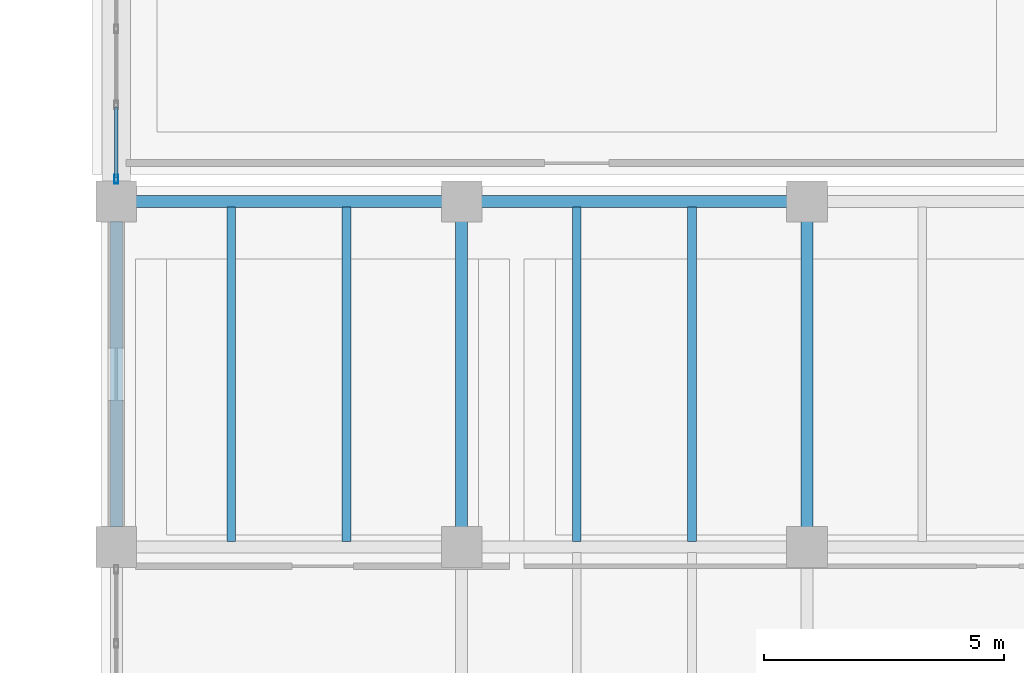
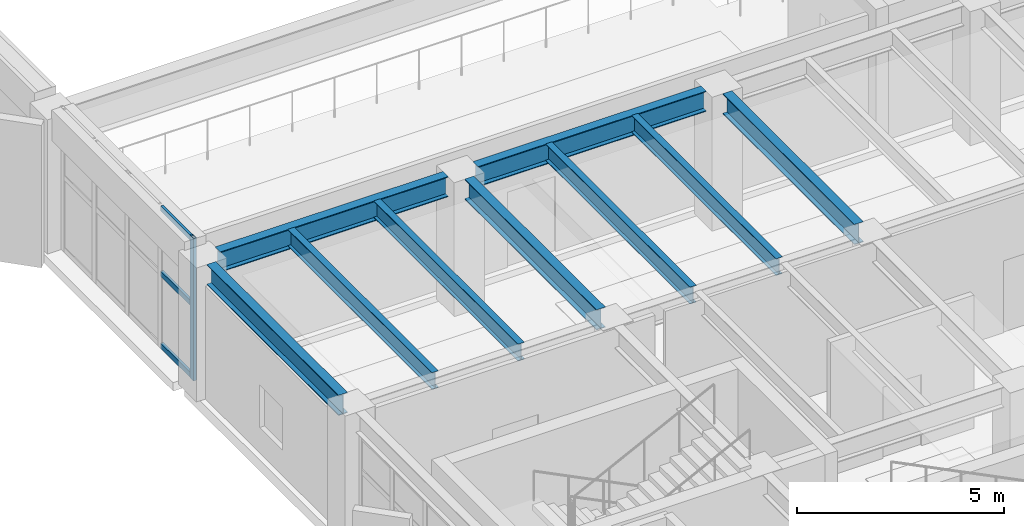
# One storey, part 11 of 59: 9 beams, 4 members, 1 element without a shape of its own.
"""IFC4 building model written with IfcOpenShell, lengths in metres."""

from ifc_helpers import new_model, si_unit, direction, frame, origin, origin_2d, place, context, subcontext, project, spatial, hollow_rectangle, i_section, extrude, material, layer, layer_set, material_profile, profile_set, type_object, element, aggregate, save


model = new_model("IFC4")

# Units and contexts
model_context = context("Model", 3, precision=1e-05, world=origin(), true_north=direction((0.0, 1.0)))
body_context = subcontext(model_context, "Body", "Model", "MODEL_VIEW")
ifc_project = project(units=[si_unit("LENGTHUNIT", "METRE"), si_unit("AREAUNIT", "SQUARE_METRE"), si_unit("VOLUMEUNIT", "CUBIC_METRE"), si_unit("PLANEANGLEUNIT", "RADIAN"), si_unit("MASSUNIT", "GRAM", prefix="KILO")], contexts=[model_context])

# Site, building, storey
site_placement = place(None, origin())
site = spatial("IfcSite", under=ifc_project, at=site_placement, CompositionType="ELEMENT")
building_placement = place(site_placement, origin())
building = spatial("IfcBuilding", under=site, at=building_placement, Name="Kandorven Conservatory and Botanical Research Centre", CompositionType="ELEMENT")
storey_placement = place(building_placement, frame((0.0, 0.0, 4.800048828125)))
storey = spatial("IfcBuildingStorey", under=building, at=storey_placement, Name="L01", CompositionType="ELEMENT", Elevation=4.800048828125)

# Beams
ifc_material_1 = material(Name="Steel S355 (IS 2062 E350)", Category="steel")
ifc_material_profile_1 = material_profile(ifc_material_1, i_section(OverallWidth=0.25, OverallDepth=0.60009765625, WebThickness=0.01171875, FlangeThickness=0.023681640625, at=origin_2d()))
ifc_profile_set_1 = profile_set([ifc_material_profile_1], Name="Steel S355 (IS 2062 E350)")
beam_type_1 = type_object("IfcBeamType", Name="Beam_FG-01", PredefinedType="USERDEFINED", material=ifc_profile_set_1)
beam_placement = place(storey_placement, frame((6.4150390625, 34.800048828125, 3.64990234375), z_axis=(1.0, 0.0, 0.0), x_axis=(0.0, 1.0, 0.0)))
element("IfcBeam", 1, at=beam_placement, inside=storey, type_object=beam_type_1, Name="Primary girder FG-01 TWR L01", ObjectType="GIRDER", PredefinedType="USERDEFINED", context=body_context, shape_type="SweptSolid", body=[
    extrude(i_section(OverallWidth=0.25, OverallDepth=0.60009765625, WebThickness=0.01171875, FlangeThickness=0.023681640625, at=origin_2d()), origin(), (0.0, 0.0, 1.0), 6.369873046875),
])
for number, where, z_axis, x_axis, name in (
    (2, (13.614990234375, 34.800048828125, 3.64990234375), (1.0, 0.0, 0.0), (0.0, 1.0, 0.0), "Primary girder FG-01 TWR L01"),
    (3, (6.0, 28.014892578125, 3.64990234375), (0.0, 1.0, 0.0), (-1.0, 0.0, 0.0), "Primary girder FG-01 TWR L01"),
    (4, (13.199951171875, 28.014892578125, 3.64990234375), (0.0, 1.0, 0.0), (-1.0, 0.0, 0.0), "Primary girder FG-01 TWR L01"),
    (5, (20.39990234375, 28.014892578125, 3.64990234375), (0.0, 1.0, 0.0), (-1.0, 0.0, 0.0), "Primary girder FG-01 TWR L01"),
):
    element("IfcBeam", number, at=place(storey_placement, frame(where, z_axis=z_axis, x_axis=x_axis)), inside=storey, type_object=beam_type_1, Name=name, ObjectType="GIRDER", PredefinedType="USERDEFINED", context=body_context, shape_type="SweptSolid", body=[
        extrude(i_section(OverallWidth=0.25, OverallDepth=0.60009765625, WebThickness=0.01171875, FlangeThickness=0.023681640625, at=origin_2d()), origin(), (0.0, 0.0, 1.0), 6.3701171875),
    ])
ifc_material_2 = material(Name="Steel S355 (IS 2062 E350)", Category="steel")
ifc_material_profile_2 = material_profile(ifc_material_2, i_section(OverallWidth=0.179931640625, OverallDepth=0.5, WebThickness=0.01025390625, FlangeThickness=0.01708984375, at=origin_2d()))
ifc_profile_set_2 = profile_set([ifc_material_profile_2], Name="Steel S355 (IS 2062 E350)")
beam_type_2 = type_object("IfcBeamType", Name="Beam_SB-03", PredefinedType="BEAM", material=ifc_profile_set_2)
for number, where, z_axis, x_axis, name in (
    (6, (8.39990234375, 27.7099609375, 3.699951171875), (0.0, 1.0, 0.0), (-1.0, 0.0, 0.0), "Composite secondary beam SB-03 TWR L01"),
    (7, (10.800048828125, 27.7099609375, 3.699951171875), (0.0, 1.0, 0.0), (-1.0, 0.0, 0.0), "Composite secondary beam SB-03 TWR L01"),
    (8, (15.60009765625, 27.7099609375, 3.699951171875), (0.0, 1.0, 0.0), (-1.0, 0.0, 0.0), "Composite secondary beam SB-03 TWR L01"),
    (9, (18.0, 27.7099609375, 3.699951171875), (0.0, 1.0, 0.0), (-1.0, 0.0, 0.0), "Composite secondary beam SB-03 TWR L01"),
):
    element("IfcBeam", number, at=place(storey_placement, frame(where, z_axis=z_axis, x_axis=x_axis)), inside=storey, type_object=beam_type_2, Name=name, PredefinedType="BEAM", context=body_context, shape_type="SweptSolid", body=[
        extrude(i_section(OverallWidth=0.179931640625, OverallDepth=0.5, WebThickness=0.01025390625, FlangeThickness=0.01708984375, at=origin_2d()), origin(), (0.0, 0.0, 1.0), 6.97998046875),
    ])

# Curtain wall, members
ifc_material_3 = material(Name="Bronze anodised thermally broken aluminium", Category="aluminium")
ifc_layer = layer(ifc_material_3, 0.179931640625)
ifc_layer_set = layer_set([ifc_layer], Name="Bronze anodised thermally broken aluminium")
curtain_wall_type = type_object("IfcCurtainWallType", Name="CW_Unitised", PredefinedType="USERDEFINED", material=ifc_layer_set)
curtain_wall_placement = place(storey_placement, origin())
curtain_wall = element("IfcCurtainWall", 10, at=curtain_wall_placement, inside=storey, type_object=curtain_wall_type, Name="Auditorium foyer curtain wall CW-AUD-L01-1", ObjectType="UNITISED GLAZING", PredefinedType="USERDEFINED")
ifc_material_4 = material(Name="Bronze anodised thermally broken aluminium", Category="aluminium")
ifc_material_profile_3 = material_profile(ifc_material_4, hollow_rectangle(XDim=0.080078125, YDim=0.179931640625, WallThickness=0.006103515625, at=origin_2d()))
ifc_profile_set_3 = profile_set([ifc_material_profile_3], Name="Bronze anodised thermally broken aluminium")
member_type_1 = type_object("IfcMemberType", Name="CW_Mullion", PredefinedType="MULLION", material=ifc_profile_set_3)
member_1_placement = place(storey_placement, frame((6.0, 35.264892578125, 0.0), z_axis=(0.0, 0.0, 1.0), x_axis=(-1.0, 0.0, 0.0)))
member_1 = element("IfcMember", 11, at=member_1_placement, type_object=member_type_1, Name="CW-01 mullion 1", PredefinedType="MULLION", context=body_context, shape_type="SweptSolid", body=[
    extrude(hollow_rectangle(XDim=0.080078125, YDim=0.179931640625, WallThickness=0.006103515625, at=origin_2d()), origin(), (0.0, 0.0, 1.0), 4.199951171875),
])
ifc_material_5 = material(Name="Bronze anodised thermally broken aluminium", Category="aluminium")
ifc_material_profile_4 = material_profile(ifc_material_5, hollow_rectangle(XDim=0.074951171875, YDim=0.14990234375, WallThickness=0.006103515625, at=origin_2d()))
ifc_profile_set_4 = profile_set([ifc_material_profile_4], Name="Bronze anodised thermally broken aluminium")
member_type_2 = type_object("IfcMemberType", Name="CW_Transom", PredefinedType="USERDEFINED", material=ifc_profile_set_4)
member_2_placement = place(storey_placement, frame((6.0, 35.304931640625, 0.074951171875), z_axis=(0.0, 1.0, 0.0), x_axis=(-1.0, 0.0, 0.0)))
member_2 = element("IfcMember", 12, at=member_2_placement, type_object=member_type_2, Name="CW-01 transom 1.1", ObjectType="TRANSOM", PredefinedType="USERDEFINED", context=body_context, shape_type="SweptSolid", body=[
    extrude(hollow_rectangle(XDim=0.074951171875, YDim=0.14990234375, WallThickness=0.006103515625, at=origin_2d()), origin(), (0.0, 0.0, 1.0), 1.467529296875),
])
member_3_placement = place(storey_placement, frame((6.0, 35.304931640625, 2.199951171875), z_axis=(0.0, 1.0, 0.0), x_axis=(-1.0, 0.0, 0.0)))
member_3 = element("IfcMember", 13, at=member_3_placement, type_object=member_type_2, Name="CW-01 transom 1.2", ObjectType="TRANSOM", PredefinedType="USERDEFINED", context=body_context, shape_type="SweptSolid", body=[
    extrude(hollow_rectangle(XDim=0.074951171875, YDim=0.14990234375, WallThickness=0.006103515625, at=origin_2d()), origin(), (0.0, 0.0, 1.0), 1.467529296875),
])
member_4_placement = place(storey_placement, frame((6.0, 35.304931640625, 4.125), z_axis=(0.0, 1.0, 0.0), x_axis=(-1.0, 0.0, 0.0)))
member_4 = element("IfcMember", 14, at=member_4_placement, type_object=member_type_2, Name="CW-01 transom 1.3", ObjectType="TRANSOM", PredefinedType="USERDEFINED", context=body_context, shape_type="SweptSolid", body=[
    extrude(hollow_rectangle(XDim=0.074951171875, YDim=0.14990234375, WallThickness=0.006103515625, at=origin_2d()), origin(), (0.0, 0.0, 1.0), 1.467529296875),
])
aggregate(curtain_wall, [member_1, member_2, member_3, member_4])

save(model, "model.ifc")
